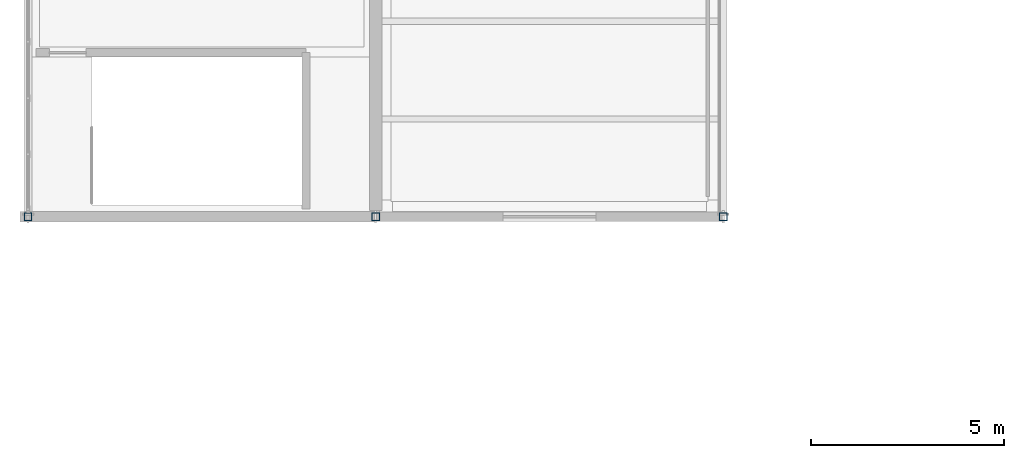
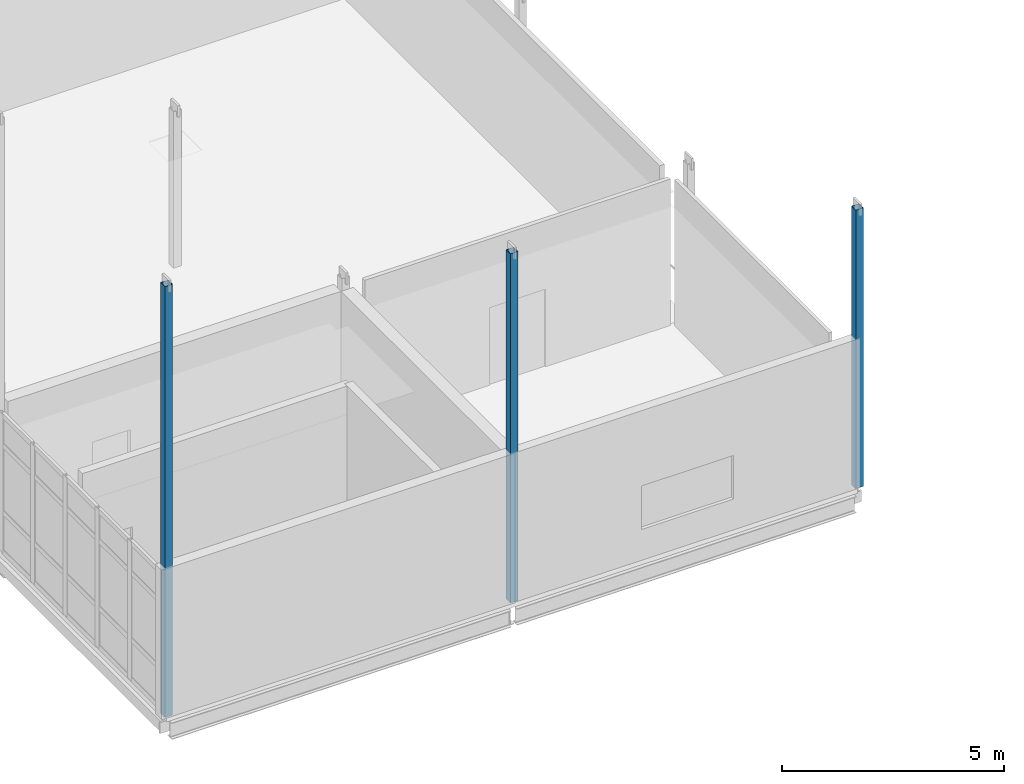
# One storey, part 1 of 96: 3 columns.
"""IFC4 building model written with IfcOpenShell, lengths in metres."""

import ifcopenshell
import ifcopenshell.guid

model = None  # the IFC model being written
_history = None  # IfcOwnerHistory: only IFC2X3 demands one
_inside = {}  # id of a spatial element -> (the spatial element, [elements in it])
_under = {}  # id of a project, library or spatial element -> (it, [spatial elements below it])
_declared = {}  # id of a project -> (the project, [libraries it declares])
_typed = {}  # id of a type object -> (the type object, [elements of that type])
_made_of = {}  # id of a material, layer set ... -> (it, [elements and type objects made of it])


def new_model(schema):
    """Start an empty IFC model of exactly this schema.

    Asked for "IFC4X3", IfcOpenShell would pick the latest addendum, in which some entities
    have other attributes; the version numbers below select the first issue.
    IFC2X3 requires an IfcOwnerHistory on every rooted entity: one is made here for all.
    """
    global model, _history
    if schema == "IFC4X3":
        model = ifcopenshell.file(schema_version=(4, 3, 0, 0))
    else:
        model = ifcopenshell.file(schema=schema)
    _inside.clear()
    _under.clear()
    _declared.clear()
    _typed.clear()
    _made_of.clear()
    _history = None
    if model.schema == "IFC2X3":
        org = make("IfcOrganization", Name="unknown")
        user = make(
            "IfcPersonAndOrganization",
            ThePerson=make("IfcPerson", FamilyName="unknown"),
            TheOrganization=org,
        )
        app = make(
            "IfcApplication",
            ApplicationDeveloper=org,
            Version="unknown",
            ApplicationFullName="unknown",
            ApplicationIdentifier="unknown",
        )
        _history = make(
            "IfcOwnerHistory",
            OwningUser=user,
            OwningApplication=app,
            ChangeAction="ADDED",
            CreationDate=0,
        )
    return model


def make(cls, **values):
    """One entity of the class cls with the attributes given. An attribute that is None is left unset."""
    return model.create_entity(
        cls, **{name: value for name, value in values.items() if value is not None}
    )


def rooted(cls, **values):
    """An entity with a GlobalId (a new one), such as an element, a storey or a relation."""
    return make(cls, GlobalId=ifcopenshell.guid.new(), OwnerHistory=_history, **values)


def si_unit(unit_type, name, prefix=None):
    """IfcSIUnit, for example si_unit("LENGTHUNIT", "METRE", prefix="MILLI")."""
    return make("IfcSIUnit", UnitType=unit_type, Prefix=prefix, Name=name)


def assignment(units):
    """IfcUnitAssignment: the units of a project."""
    return None if units is None else make("IfcUnitAssignment", Units=units)


def point(xyz):
    """IfcCartesianPoint."""
    return None if xyz is None else make("IfcCartesianPoint", Coordinates=xyz)


def direction(xyz):
    """IfcDirection."""
    return None if xyz is None else make("IfcDirection", DirectionRatios=xyz)


def frame(location, z_axis=None, x_axis=None):
    """IfcAxis2Placement3D, a coordinate frame: its origin and axes. An axis left out is left unset."""
    return make(
        "IfcAxis2Placement3D",
        Location=point(location),
        Axis=direction(z_axis),
        RefDirection=direction(x_axis),
    )


def frame_2d(location, x_axis=None):
    """IfcAxis2Placement2D, a coordinate frame in the plane: its origin and x axis."""
    return make(
        "IfcAxis2Placement2D", Location=point(location), RefDirection=direction(x_axis)
    )


def origin():
    """The frame at (0, 0, 0) with its axes left unset."""
    return frame((0.0, 0.0, 0.0))


def origin_2d():
    """The frame at (0, 0) in the plane with its x axis left unset."""
    return frame_2d((0.0, 0.0))


def place(relative_to, where):
    """IfcLocalPlacement: puts the frame where relative to a parent placement (None: the world)."""
    return make(
        "IfcLocalPlacement", PlacementRelTo=relative_to, RelativePlacement=where
    )


def context(
    kind, dimensions, precision=None, world=None, true_north=None, identifier=None
):
    """IfcGeometricRepresentationContext, for example the 3D "Model" context."""
    return make(
        "IfcGeometricRepresentationContext",
        ContextIdentifier=identifier,
        ContextType=kind,
        CoordinateSpaceDimension=dimensions,
        Precision=precision,
        WorldCoordinateSystem=world,
        TrueNorth=true_north,
    )


def subcontext(parent, identifier, kind, view, scale=None):
    """IfcGeometricRepresentationSubContext, for example "Body" below "Model"."""
    return make(
        "IfcGeometricRepresentationSubContext",
        ContextIdentifier=identifier,
        ContextType=kind,
        ParentContext=parent,
        TargetScale=scale,
        TargetView=view,
    )


def project(units=None, contexts=None):
    """IfcProject with its units and contexts."""
    return rooted(
        "IfcProject",
        Name="project",
        RepresentationContexts=contexts,
        UnitsInContext=assignment(units),
    )


def spatial(cls, under=None, at=None, **own):
    """A site, building, storey or space (cls), placed at a placement, below another one or the project."""
    s = rooted(cls, ObjectPlacement=at, **own)
    if under is not None:
        _under.setdefault(under.id(), (under, []))[1].append(s)
    return s


def profile(cls, at=None, kind="AREA", **sizes):
    """A parametric profile (cls). Its sizes go by their IFC names, for example OverallWidth=200.0."""
    return make(cls, ProfileType=kind, Position=at, **sizes)


def hollow_rectangle(**sizes):
    """IfcRectangleHollowProfileDef."""
    return profile("IfcRectangleHollowProfileDef", **sizes)


def extrude(swept, where, along, depth):
    """IfcExtrudedAreaSolid: the profile swept, set in the frame where, extruded along a direction by depth."""
    return make(
        "IfcExtrudedAreaSolid",
        SweptArea=swept,
        Position=where,
        ExtrudedDirection=direction(along),
        Depth=depth,
    )


def shape(context_of_items, identifier, shape_type, items):
    """IfcShapeRepresentation: the items that make up one representation, for example the "Body"."""
    return make(
        "IfcShapeRepresentation",
        ContextOfItems=context_of_items,
        RepresentationIdentifier=identifier,
        RepresentationType=shape_type,
        Items=items,
    )


def material(Name=None, Category=None):
    """IfcMaterial."""
    return make("IfcMaterial", Name=Name, Category=Category)


def material_profile(
    of_material, cross_section, Name=None, Category=None, Priority=None
):
    """IfcMaterialProfile: a cross section and its material."""
    return make(
        "IfcMaterialProfile",
        Name=Name,
        Material=of_material,
        Profile=cross_section,
        Priority=Priority,
        Category=Category,
    )


def profile_set(profiles, Name=None, composite=None):
    """IfcMaterialProfileSet."""
    return make(
        "IfcMaterialProfileSet",
        Name=Name,
        MaterialProfiles=profiles,
        CompositeProfile=composite,
    )


def made_of(thing, what):
    """Note that an element or type object is made of a material, layer set ...; save() writes the relation."""
    if what is not None:
        _made_of.setdefault(what.id(), (what, []))[1].append(thing)
    return thing


def type_object(cls, material=None, **own):
    """A type object (cls), such as IfcWallType, which elements share."""
    return made_of(rooted(cls, **own), material)


def element(
    cls,
    number,
    at=None,
    inside=None,
    cuts=None,
    type_object=None,
    material=None,
    context=None,
    identifier="Body",
    shape_type=None,
    held_by="IfcProductDefinitionShape",
    body=None,
    shapes=None,
    **own,
):
    """One element of the class cls, such as IfcWall. Its Tag is "e" and its number.

    at: its placement. inside: the storey or other place that contains it. cuts: it is an
    opening in that element (IfcRelVoidsElement). A single representation is given by context,
    identifier, shape_type and body (its items); several are given by shapes. held_by: the class
    of the entity that holds the representations. save() writes the other relations.
    """
    e = rooted(cls, Tag="e%d" % number, ObjectPlacement=at, **own)
    if body is not None:
        shapes = [shape(context, identifier, shape_type, body)]
    if shapes is not None:
        e.Representation = make(held_by, Representations=shapes)
    if inside is not None:
        _inside.setdefault(inside.id(), (inside, []))[1].append(e)
    if cuts is not None:
        rooted(
            "IfcRelVoidsElement", RelatingBuildingElement=cuts, RelatedOpeningElement=e
        )
    if type_object is not None:
        _typed.setdefault(type_object.id(), (type_object, []))[1].append(e)
    return made_of(e, material)


def aggregate(whole, parts):
    """IfcRelAggregates: a whole, such as a stair, and the parts it consists of."""
    return rooted("IfcRelAggregates", RelatingObject=whole, RelatedObjects=parts)


def save(model, path):
    """Write the relations noted so far, then the file.

    IfcRelAggregates (storeys below a building ...), IfcRelContainedInSpatialStructure (elements
    in a storey), IfcRelDefinesByType, IfcRelAssociatesMaterial and IfcRelDeclares: one each for
    every whole, place, type object, material and project.
    """
    for whole, parts in _under.values():
        aggregate(whole, parts)
    for where, things in _inside.values():
        rooted(
            "IfcRelContainedInSpatialStructure",
            RelatedElements=things,
            RelatingStructure=where,
        )
    for kind, things in _typed.values():
        rooted("IfcRelDefinesByType", RelatedObjects=things, RelatingType=kind)
    for what, things in _made_of.values():
        rooted("IfcRelAssociatesMaterial", RelatedObjects=things, RelatingMaterial=what)
    for by, libraries in _declared.values():
        rooted("IfcRelDeclares", RelatingContext=by, RelatedDefinitions=libraries)
    model.write(path)


model = new_model("IFC4")

# Units and contexts
model_context = context("Model", 3, precision=1e-05, world=origin(), true_north=direction((0.0, 1.0)))
body_context = subcontext(model_context, "Body", "Model", "MODEL_VIEW")
ifc_project = project(units=[si_unit("LENGTHUNIT", "METRE"), si_unit("AREAUNIT", "SQUARE_METRE"), si_unit("VOLUMEUNIT", "CUBIC_METRE"), si_unit("PLANEANGLEUNIT", "RADIAN"), si_unit("MASSUNIT", "GRAM", prefix="KILO")], contexts=[model_context])

# Site, building, storey
site_placement = place(None, origin())
site = spatial("IfcSite", under=ifc_project, at=site_placement, CompositionType="ELEMENT")
building_placement = place(site_placement, origin())
building = spatial("IfcBuilding", under=site, at=building_placement, Name="Caisbarro Railhouse Central Library", CompositionType="ELEMENT")
storey_placement = place(building_placement, frame((0.0, 0.0, 13.679931640625)))
storey = spatial("IfcBuildingStorey", under=building, at=storey_placement, Name="L03", CompositionType="ELEMENT", Elevation=13.679931640625)

# Columns
ifc_material = material(Name="Steel ASTM A572 Grade 50", Category="steel")
ifc_material_profile = material_profile(ifc_material, hollow_rectangle(XDim=0.199951171875, YDim=0.199951171875, WallThickness=0.012451171875, at=origin_2d()), Name="HSS200X200X12.5")
ifc_profile_set = profile_set([ifc_material_profile], Name="Steel ASTM A572 Grade 50")
column_type = type_object("IfcColumnType", Name="COL-C10", PredefinedType="COLUMN", material=ifc_profile_set)
column_1_placement = place(storey_placement, frame((0.0, 30.39990234375, 0.0), z_axis=(0.0, 0.0, 1.0), x_axis=(1.0, 0.0, 0.0)))
element("IfcColumn", 1, at=column_1_placement, inside=storey, type_object=column_type, Name="C10 column L03 (0.0,30.4)", PredefinedType="COLUMN", context=body_context, shape_type="SweptSolid", body=[
    extrude(hollow_rectangle(XDim=0.199951171875, YDim=0.199951171875, WallThickness=0.012451171875, at=origin_2d()), origin(), (0.0, 0.0, 1.0), 11.8701171875),
])
column_2_placement = place(storey_placement, frame((9.0, 30.39990234375, 0.0), z_axis=(0.0, 0.0, 1.0), x_axis=(1.0, 0.0, 0.0)))
element("IfcColumn", 2, at=column_2_placement, inside=storey, type_object=column_type, Name="C10 column L03 (9.0,30.4)", PredefinedType="COLUMN", context=body_context, shape_type="SweptSolid", body=[
    extrude(hollow_rectangle(XDim=0.199951171875, YDim=0.199951171875, WallThickness=0.012451171875, at=origin_2d()), origin(), (0.0, 0.0, 1.0), 9.6201171875),
])
column_3_placement = place(storey_placement, frame((18.0, 30.39990234375, 0.0), z_axis=(0.0, 0.0, 1.0), x_axis=(1.0, 0.0, 0.0)))
element("IfcColumn", 3, at=column_3_placement, inside=storey, type_object=column_type, Name="C10 column L03 (18.0,30.4)", PredefinedType="COLUMN", context=body_context, shape_type="SweptSolid", body=[
    extrude(hollow_rectangle(XDim=0.199951171875, YDim=0.199951171875, WallThickness=0.012451171875, at=origin_2d()), origin(), (0.0, 0.0, 1.0), 7.670166015625),
])

save(model, "model.ifc")
